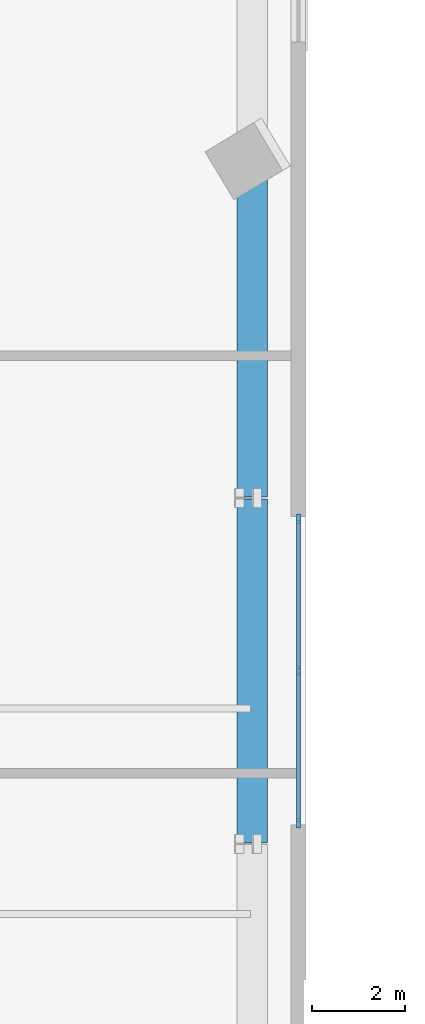
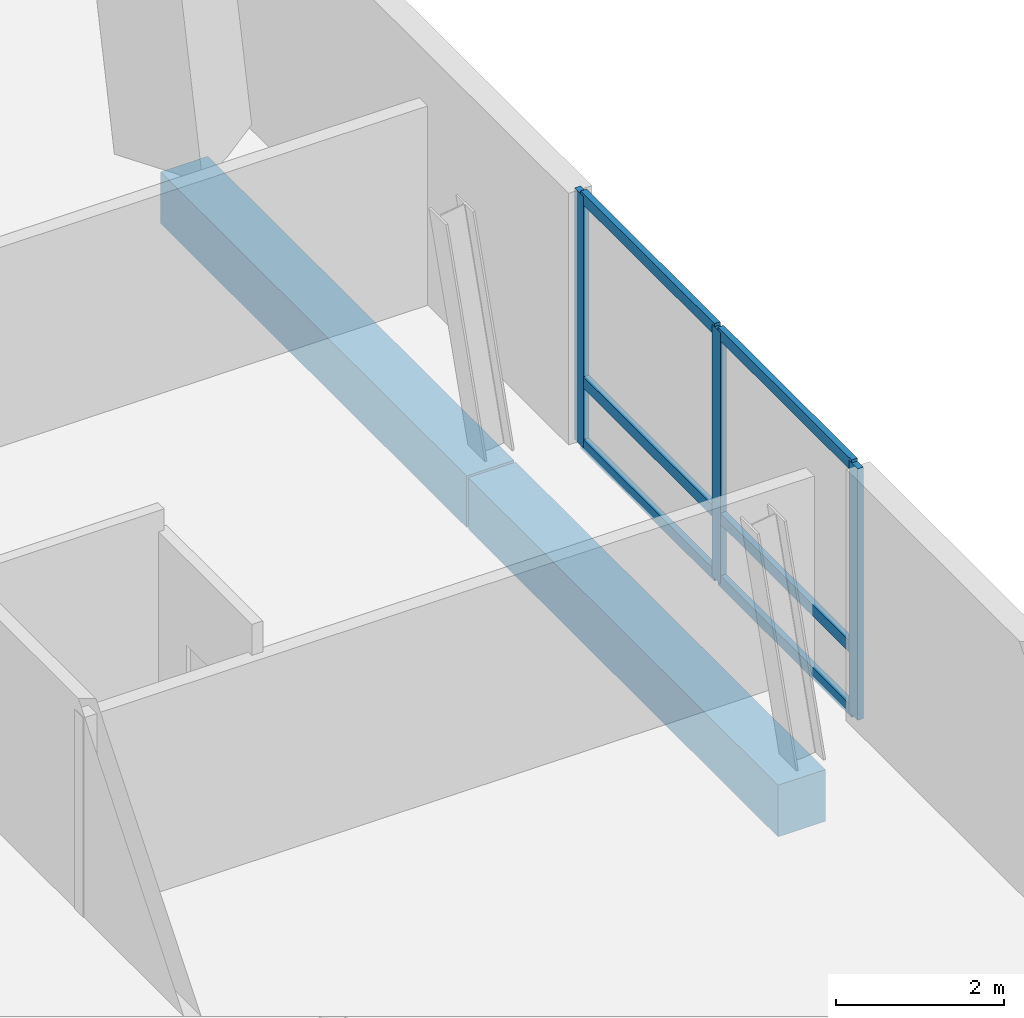
# One storey, part 5 of 15: 9 members, 2 beams, 1 element without a shape of its own.
"""IFC4 building model written with IfcOpenShell, lengths in metres."""

from ifc_helpers import new_model, si_unit, direction, frame, origin, origin_2d, place, context, subcontext, project, spatial, rectangle, extrude, source, transform, mapped, material, material_profile, profile_set, type_object, element, aggregate, save


model = new_model("IFC4")

# Units and contexts
model_context = context("Model", 3, precision=1e-05, world=origin(), true_north=direction((0.0, 1.0)))
body_context = subcontext(model_context, "Body", "Model", "MODEL_VIEW")
ifc_project = project(units=[si_unit("LENGTHUNIT", "METRE"), si_unit("AREAUNIT", "SQUARE_METRE"), si_unit("VOLUMEUNIT", "CUBIC_METRE"), si_unit("PLANEANGLEUNIT", "RADIAN"), si_unit("MASSUNIT", "GRAM", prefix="KILO")], contexts=[model_context])

# Site, building, storey
site_placement = place(None, origin())
site = spatial("IfcSite", under=ifc_project, at=site_placement, CompositionType="ELEMENT")
building_placement = place(site_placement, origin())
building = spatial("IfcBuilding", under=site, at=building_placement, Name="Vardaveli Station Tower", CompositionType="ELEMENT")
storey_placement = place(building_placement, frame((0.0, 0.0, 258.5)))
storey = spatial("IfcBuildingStorey", under=building, at=storey_placement, Name="L66", CompositionType="ELEMENT", Elevation=258.5)

# Beams
ifc_material_1 = material(Name="Precast concrete C45/55", Category="concrete")
ifc_material_profile_1 = material_profile(ifc_material_1, rectangle(XDim=0.64990234375, YDim=0.75, at=origin_2d()), Name="LPB 650x750")
ifc_profile_set_1 = profile_set([ifc_material_profile_1], Name="Precast concrete C45/55")
beam_type = type_object("IfcBeamType", Name="BM-LPB-750", PredefinedType="BEAM", material=ifc_profile_set_1)
shared_shape_1 = source(origin(), body_context, "Body", "SweptSolid", [
    extrude(rectangle(XDim=0.64990234375, YDim=0.75, at=origin_2d()), origin(), (0.0, 0.0, 1.0), 7.35986328125),
])
beam_1_placement = place(storey_placement, frame((60.7099609375, 21.52001953125, -0.675048828125), z_axis=(0.0, 1.0, 0.0), x_axis=(-1.0, 0.0, 0.0)))
element("IfcBeam", 1, at=beam_1_placement, inside=storey, type_object=beam_type, Name="RBM-L66-08", PredefinedType="BEAM", context=body_context, shape_type="MappedRepresentation", body=[
    mapped(shared_shape_1, transform((0.0, 0.0, 0.0), scale=1.0)),
])
shared_shape_2 = source(origin(), body_context, "Body", "SweptSolid", [
    extrude(rectangle(XDim=0.64990234375, YDim=0.75, at=origin_2d()), origin(), (0.0, 0.0, 1.0), 7.276123046875),
])
beam_2_placement = place(storey_placement, frame((60.7099609375, 28.919921875, -0.675048828125), z_axis=(0.0, 1.0, 0.0), x_axis=(-1.0, 0.0, 0.0)))
element("IfcBeam", 2, at=beam_2_placement, inside=storey, type_object=beam_type, Name="RBM-L66-09", PredefinedType="BEAM", context=body_context, shape_type="MappedRepresentation", body=[
    mapped(shared_shape_2, transform((0.0, 0.0, 0.0), scale=1.0)),
])

# Curtain wall, members
ifc_material_2 = material(Name="Travertine stone and solar-control glass", Category="masonry")
curtain_wall_type = type_object("IfcCurtainWallType", Name="CW-SYS-5", PredefinedType="NOTDEFINED", material=ifc_material_2)
curtain_wall_placement = place(storey_placement, origin())
curtain_wall = element("IfcCurtainWall", 3, at=curtain_wall_placement, inside=storey, type_object=curtain_wall_type, Name="CW-L66-E", PredefinedType="NOTDEFINED")
ifc_material_3 = material(Name="Anodised aluminium alloy 6063-T6", Category="aluminium")
ifc_material_profile_2 = material_profile(ifc_material_3, rectangle(XDim=0.080078125, YDim=0.1650390625, at=origin_2d()), Name="CWT 80x165")
ifc_profile_set_2 = profile_set([ifc_material_profile_2], Name="Anodised aluminium alloy 6063-T6")
member_type_1 = type_object("IfcMemberType", Name="CW-SYS-5-TRAN", PredefinedType="NOTDEFINED", material=ifc_profile_set_2)
shared_shape_3 = source(origin(), body_context, "Body", "SweptSolid", [
    extrude(rectangle(XDim=0.080078125, YDim=0.1650390625, at=origin_2d()), origin(), (0.0, 0.0, 1.0), 3.179931640625),
])
member_1_placement = place(storey_placement, frame((61.699951171875, 21.97998046875, 0.0400390625), z_axis=(0.0, 1.0, 0.0), x_axis=(-1.0, 0.0, 0.0)))
member_1 = element("IfcMember", 4, at=member_1_placement, type_object=member_type_1, Name="CW-5 transom 1.1", ObjectType="TRANSOM", PredefinedType="USERDEFINED", context=body_context, shape_type="MappedRepresentation", body=[
    mapped(shared_shape_3, transform((0.0, 0.0, 0.0), scale=1.0)),
])
member_2_placement = place(storey_placement, frame((61.699951171875, 21.97998046875, 0.949951171875), z_axis=(0.0, 1.0, 0.0), x_axis=(-1.0, 0.0, 0.0)))
member_2 = element("IfcMember", 5, at=member_2_placement, type_object=member_type_1, Name="CW-5 transom 1.2", ObjectType="TRANSOM", PredefinedType="USERDEFINED", context=body_context, shape_type="MappedRepresentation", body=[
    mapped(shared_shape_3, transform((0.0, 0.0, 0.0), scale=1.0)),
])
member_3_placement = place(storey_placement, frame((61.699951171875, 21.97998046875, 3.610107421875), z_axis=(0.0, 1.0, 0.0), x_axis=(-1.0, 0.0, 0.0)))
member_3 = element("IfcMember", 6, at=member_3_placement, type_object=member_type_1, Name="CW-5 transom 1.3", ObjectType="TRANSOM", PredefinedType="USERDEFINED", context=body_context, shape_type="MappedRepresentation", body=[
    mapped(shared_shape_3, transform((0.0, 0.0, 0.0), scale=1.0)),
])
member_4_placement = place(storey_placement, frame((61.699951171875, 25.239990234375, 0.0400390625), z_axis=(0.0, 1.0, 0.0), x_axis=(-1.0, 0.0, 0.0)))
member_4 = element("IfcMember", 7, at=member_4_placement, type_object=member_type_1, Name="CW-5 transom 2.1", ObjectType="TRANSOM", PredefinedType="USERDEFINED", context=body_context, shape_type="MappedRepresentation", body=[
    mapped(shared_shape_3, transform((0.0, 0.0, 0.0), scale=1.0)),
])
member_5_placement = place(storey_placement, frame((61.699951171875, 25.239990234375, 0.949951171875), z_axis=(0.0, 1.0, 0.0), x_axis=(-1.0, 0.0, 0.0)))
member_5 = element("IfcMember", 8, at=member_5_placement, type_object=member_type_1, Name="CW-5 transom 2.2", ObjectType="TRANSOM", PredefinedType="USERDEFINED", context=body_context, shape_type="MappedRepresentation", body=[
    mapped(shared_shape_3, transform((0.0, 0.0, 0.0), scale=1.0)),
])
member_6_placement = place(storey_placement, frame((61.699951171875, 25.239990234375, 3.610107421875), z_axis=(0.0, 1.0, 0.0), x_axis=(-1.0, 0.0, 0.0)))
member_6 = element("IfcMember", 9, at=member_6_placement, type_object=member_type_1, Name="CW-5 transom 2.3", ObjectType="TRANSOM", PredefinedType="USERDEFINED", context=body_context, shape_type="MappedRepresentation", body=[
    mapped(shared_shape_3, transform((0.0, 0.0, 0.0), scale=1.0)),
])
ifc_material_profile_3 = material_profile(ifc_material_3, rectangle(XDim=0.080078125, YDim=0.205078125, at=origin_2d()), Name="CWM 80x205")
ifc_profile_set_3 = profile_set([ifc_material_profile_3], Name="Anodised aluminium alloy 6063-T6")
member_type_2 = type_object("IfcMemberType", Name="CW-SYS-5-MULL", PredefinedType="MULLION", material=ifc_profile_set_3)
shared_shape_4 = source(origin(), body_context, "Body", "SweptSolid", [
    extrude(rectangle(XDim=0.080078125, YDim=0.205078125, at=origin_2d()), origin(), (0.0, 0.0, 1.0), 3.64990234375),
])
member_7_placement = place(storey_placement, frame((61.699951171875, 21.93994140625, 0.0), z_axis=(0.0, 0.0, 1.0), x_axis=(-1.0, 0.0, 0.0)))
member_7 = element("IfcMember", 10, at=member_7_placement, type_object=member_type_2, Name="CW-5 mullion 1", PredefinedType="MULLION", context=body_context, shape_type="MappedRepresentation", body=[
    mapped(shared_shape_4, transform((0.0, 0.0, 0.0), scale=1.0)),
])
member_8_placement = place(storey_placement, frame((61.699951171875, 25.199951171875, 0.0), z_axis=(0.0, 0.0, 1.0), x_axis=(-1.0, 0.0, 0.0)))
member_8 = element("IfcMember", 11, at=member_8_placement, type_object=member_type_2, Name="CW-5 mullion 2", PredefinedType="MULLION", context=body_context, shape_type="MappedRepresentation", body=[
    mapped(shared_shape_4, transform((0.0, 0.0, 0.0), scale=1.0)),
])
member_9_placement = place(storey_placement, frame((61.699951171875, 28.4599609375, 0.0), z_axis=(0.0, 0.0, 1.0), x_axis=(-1.0, 0.0, 0.0)))
member_9 = element("IfcMember", 12, at=member_9_placement, type_object=member_type_2, Name="CW-5 mullion 3", PredefinedType="MULLION", context=body_context, shape_type="MappedRepresentation", body=[
    mapped(shared_shape_4, transform((0.0, 0.0, 0.0), scale=1.0)),
])
aggregate(curtain_wall, [member_7, member_8, member_9, member_1, member_2, member_3, member_4, member_5, member_6])

save(model, "model.ifc")
